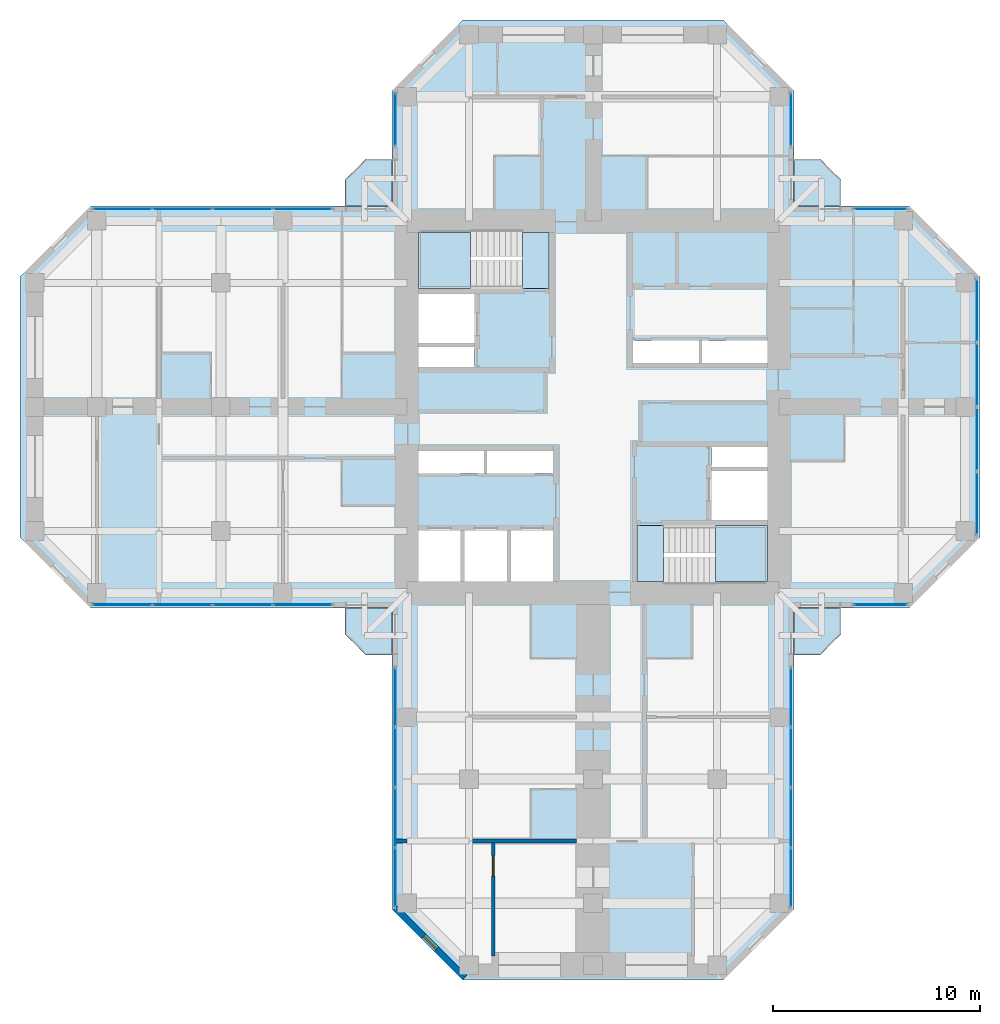
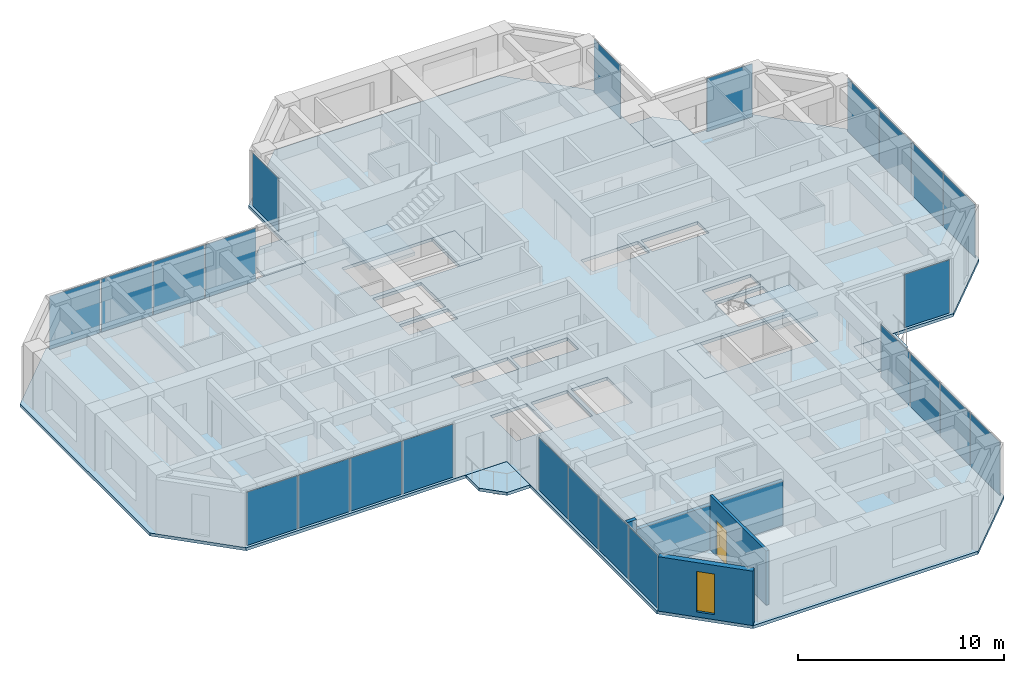
# One storey, part 7 of 14: 24 plates, 9 slabs, 4 walls, 1 door, 1 window, 2 openings, 11 elements without a shape of their own.
"""IFC4 building model written with IfcOpenShell, lengths in metres."""

from ifc_helpers import new_model, si_unit, direction, frame, frame_2d, origin, origin_2d, place, context, subcontext, project, spatial, polyline, rectangle, hollow_rectangle, outline, extrude, material, layer, layer_set, constituent, constituent_set, type_object, element, fill, aggregate, save


model = new_model("IFC4")

# Units and contexts
model_context = context("Model", 3, precision=1e-05, world=origin(), true_north=direction((0.0, 1.0)))
body_context = subcontext(model_context, "Body", "Model", "MODEL_VIEW")
ifc_project = project(units=[si_unit("LENGTHUNIT", "METRE"), si_unit("AREAUNIT", "SQUARE_METRE"), si_unit("VOLUMEUNIT", "CUBIC_METRE"), si_unit("PLANEANGLEUNIT", "RADIAN"), si_unit("MASSUNIT", "GRAM", prefix="KILO")], contexts=[model_context])

# Site, building, storey
site_placement = place(None, origin())
site = spatial("IfcSite", under=ifc_project, at=site_placement, CompositionType="ELEMENT")
building_placement = place(site_placement, origin())
building = spatial("IfcBuilding", under=site, at=building_placement, Name="Torre Cruceta", CompositionType="ELEMENT")
storey_placement = place(building_placement, frame((0.0, 0.0, 200.10009765625)))
storey = spatial("IfcBuildingStorey", under=building, at=storey_placement, Name="L50", CompositionType="ELEMENT", Elevation=200.10009765625)

# Slabs
ifc_material_1 = material(Name="Concrete G35 (fck 35 MPa)", Category="concrete")
ifc_layer_1 = layer(ifc_material_1, 0.179931640625)
ifc_layer_set_1 = layer_set([ifc_layer_1], Name="Concrete G35 (fck 35 MPa)")
slab_type_1 = type_object("IfcSlabType", Name="BALCONY SLAB 180", PredefinedType="USERDEFINED", material=ifc_layer_set_1)
slab_1_placement = place(storey_placement, frame((0.0, 0.0, -0.18017578125)))
element("IfcSlab", 1, at=slab_1_placement, inside=storey, type_object=slab_type_1, Name="Balcony slab L50 N", ObjectType="BALCONY", PredefinedType="USERDEFINED", context=body_context, shape_type="SweptSolid", body=[
    extrude(outline(polyline([(-12.0, 11.0), (-11.0, 12.0), (-9.719970703125, 12.0), (-9.719970703125, 9.719970703125), (-12.0, 9.719970703125), (-12.0, 11.0)])), origin(), (0.0, 0.0, 1.0), 0.18017578125),
])
slab_2_placement = place(storey_placement, frame((0.0, 0.0, -0.18017578125)))
element("IfcSlab", 2, at=slab_2_placement, inside=storey, type_object=slab_type_1, Name="Balcony slab L50 E", ObjectType="BALCONY", PredefinedType="USERDEFINED", context=body_context, shape_type="SweptSolid", body=[
    extrude(outline(polyline([(11.0, 12.0), (12.0, 11.0), (12.0, 9.719970703125), (9.719970703125, 9.719970703125), (9.719970703125, 12.0), (11.0, 12.0)])), origin(), (0.0, 0.0, 1.0), 0.18017578125),
])
slab_3_placement = place(storey_placement, frame((0.0, 0.0, -0.18017578125)))
element("IfcSlab", 3, at=slab_3_placement, inside=storey, type_object=slab_type_1, Name="Balcony slab L50 S", ObjectType="BALCONY", PredefinedType="USERDEFINED", context=body_context, shape_type="SweptSolid", body=[
    extrude(outline(polyline([(12.0, -11.0), (11.0, -12.0), (9.719970703125, -12.0), (9.719970703125, -9.719970703125), (12.0, -9.719970703125), (12.0, -11.0)])), origin(), (0.0, 0.0, 1.0), 0.18017578125),
])
slab_4_placement = place(storey_placement, frame((0.0, 0.0, -0.18017578125)))
element("IfcSlab", 4, at=slab_4_placement, inside=storey, type_object=slab_type_1, Name="Balcony slab L50 W", ObjectType="BALCONY", PredefinedType="USERDEFINED", context=body_context, shape_type="SweptSolid", body=[
    extrude(outline(polyline([(-11.0, -12.0), (-12.0, -11.0), (-12.0, -9.719970703125), (-9.719970703125, -9.719970703125), (-9.719970703125, -12.0), (-11.0, -12.0)])), origin(), (0.0, 0.0, 1.0), 0.18017578125),
])

# Curtain wall, plate
ifc_material_2 = material(Name="Aluminium unitised curtain wall", Category="aluminium")
curtain_wall_type = type_object("IfcCurtainWallType", Name="CURTAIN WALL CW-C CO-LIVING", PredefinedType="USERDEFINED", material=ifc_material_2)
curtain_wall_1_placement = place(storey_placement, origin())
curtain_wall_1 = element("IfcCurtainWall", 5, at=curtain_wall_1_placement, inside=storey, type_object=curtain_wall_type, Name="CW-C L50 E tip 02", ObjectType="UNITISED", PredefinedType="USERDEFINED")
ifc_material_3 = material(Name="Laminated insulating glass unit, diagonal frit 50 %", Category="glass")
ifc_material_4 = material(Name="Laminated insulating glass unit, diagonal frit 50 %", Category="glass")
ifc_layer_2 = layer(ifc_material_4, 0.030029296875)
ifc_layer_set_2 = layer_set([ifc_layer_2], Name="Laminated insulating glass unit, diagonal frit 50 %")
plate_type_1 = type_object("IfcPlateType", Name="CW-C OPERABLE VENT PANEL 30", PredefinedType="CURTAIN_PANEL", material=ifc_layer_set_2)
plate_1_placement = place(storey_placement, frame((18.570068359375, -1.55908203125, 0.010009765625), z_axis=(0.0, 0.0, 1.0), x_axis=(0.0, 1.0, 0.0)))
plate_1 = element("IfcPlate", 6, at=plate_1_placement, type_object=plate_type_1, material=ifc_material_3, Name="CW-C vent 2", PredefinedType="CURTAIN_PANEL", context=body_context, shape_type="SweptSolid", body=[
    extrude(rectangle(XDim=3.05810546875, YDim=0.030029296875, at=origin_2d()), origin(), (0.0, 0.0, 1.0), 3.14990234375),
])

curtain_wall_2_placement = place(storey_placement, origin())
curtain_wall_2 = element("IfcCurtainWall", 7, at=curtain_wall_2_placement, inside=storey, type_object=curtain_wall_type, Name="CW-C L50 W side 10", ObjectType="UNITISED", PredefinedType="USERDEFINED")
plate_2_placement = place(storey_placement, frame((-16.94482421875, 9.570068359375, 0.010009765625), z_axis=(0.0, 0.0, 1.0), x_axis=(-1.0, 0.0, 0.0)))
plate_2 = element("IfcPlate", 8, at=plate_2_placement, type_object=plate_type_1, material=ifc_material_3, Name="CW-C vent 2", PredefinedType="CURTAIN_PANEL", context=body_context, shape_type="SweptSolid", body=[
    extrude(rectangle(XDim=2.8564453125, YDim=0.030029296875, at=origin_2d()), origin(), (0.0, 0.0, 1.0), 3.14990234375),
])

curtain_wall_3_placement = place(storey_placement, origin())
curtain_wall_3 = element("IfcCurtainWall", 9, at=curtain_wall_3_placement, inside=storey, type_object=curtain_wall_type, Name="CW-C L50 W side 14", ObjectType="UNITISED", PredefinedType="USERDEFINED")
plate_3_placement = place(storey_placement, frame((-19.861328125, -9.570068359375, 0.010009765625), z_axis=(0.0, 0.0, 1.0), x_axis=(1.0, 0.0, 0.0)))
plate_3 = element("IfcPlate", 10, at=plate_3_placement, type_object=plate_type_1, material=ifc_material_3, Name="CW-C vent 2", PredefinedType="CURTAIN_PANEL", context=body_context, shape_type="SweptSolid", body=[
    extrude(rectangle(XDim=2.8564453125, YDim=0.030029296875, at=origin_2d()), origin(), (0.0, 0.0, 1.0), 3.14990234375),
])

curtain_wall_4_placement = place(storey_placement, origin())
curtain_wall_4 = element("IfcCurtainWall", 11, at=curtain_wall_4_placement, inside=storey, type_object=curtain_wall_type, Name="CW-C L50 S side 15", ObjectType="UNITISED", PredefinedType="USERDEFINED")
plate_4_placement = place(storey_placement, frame((-9.570068359375, -16.94482421875, 0.010009765625), z_axis=(0.0, 0.0, 1.0), x_axis=(0.0, -1.0, 0.0)))
plate_4 = element("IfcPlate", 12, at=plate_4_placement, type_object=plate_type_1, material=ifc_material_3, Name="CW-C vent 2", PredefinedType="CURTAIN_PANEL", context=body_context, shape_type="SweptSolid", body=[
    extrude(rectangle(XDim=2.8564453125, YDim=0.030029296875, at=origin_2d()), origin(), (0.0, 0.0, 1.0), 3.14990234375),
])

curtain_wall_5_placement = place(storey_placement, origin())
curtain_wall_5 = element("IfcCurtainWall", 13, at=curtain_wall_5_placement, inside=storey, type_object=curtain_wall_type, Name="CW-C L50 S side 19", ObjectType="UNITISED", PredefinedType="USERDEFINED")
plate_5_placement = place(storey_placement, frame((9.570068359375, -19.861328125, 0.010009765625), z_axis=(0.0, 0.0, 1.0), x_axis=(0.0, 1.0, 0.0)))
plate_5 = element("IfcPlate", 14, at=plate_5_placement, type_object=plate_type_1, material=ifc_material_3, Name="CW-C vent 2", PredefinedType="CURTAIN_PANEL", context=body_context, shape_type="SweptSolid", body=[
    extrude(rectangle(XDim=2.8564453125, YDim=0.030029296875, at=origin_2d()), origin(), (0.0, 0.0, 1.0), 3.14990234375),
])

curtain_wall_6_placement = place(storey_placement, origin())
curtain_wall_6 = element("IfcCurtainWall", 15, at=curtain_wall_6_placement, inside=storey, type_object=curtain_wall_type, Name="CW-C L50 E side 00", ObjectType="UNITISED", PredefinedType="USERDEFINED")
ifc_material_5 = material(Name="Laminated insulating glass unit, diagonal frit 50 %", Category="glass")
ifc_layer_3 = layer(ifc_material_5, 0.030029296875)
ifc_layer_set_3 = layer_set([ifc_layer_3], Name="Laminated insulating glass unit, diagonal frit 50 %")
plate_type_2 = type_object("IfcPlateType", Name="CW-C PANEL 30", PredefinedType="CURTAIN_PANEL", material=ifc_layer_set_3)
plate_6_placement = place(storey_placement, frame((13.903076171875, -9.570068359375, 0.010009765625), z_axis=(0.0, 0.0, 1.0), x_axis=(1.0, 0.0, 0.0)))
plate_6 = element("IfcPlate", 16, at=plate_6_placement, type_object=plate_type_2, material=ifc_material_3, Name="CW-C panel 1", PredefinedType="CURTAIN_PANEL", context=body_context, shape_type="SweptSolid", body=[
    extrude(rectangle(XDim=2.546142578125, YDim=0.030029296875, at=origin_2d()), origin(), (0.0, 0.0, 1.0), 3.14990234375),
])
aggregate(curtain_wall_6, [plate_6])

# Plate
plate_7_placement = place(storey_placement, frame((18.570068359375, -4.662109375, 0.010009765625), z_axis=(0.0, 0.0, 1.0), x_axis=(0.0, 1.0, 0.0)))
plate_7 = element("IfcPlate", 17, at=plate_7_placement, type_object=plate_type_2, material=ifc_material_3, Name="CW-C panel 1", PredefinedType="CURTAIN_PANEL", context=body_context, shape_type="SweptSolid", body=[
    extrude(rectangle(XDim=3.028076171875, YDim=0.030029296875, at=origin_2d()), origin(), (0.0, 0.0, 1.0), 3.14990234375),
])

plate_8_placement = place(storey_placement, frame((18.570068359375, 1.55908203125, 0.010009765625), z_axis=(0.0, 0.0, 1.0), x_axis=(0.0, 1.0, 0.0)))
plate_8 = element("IfcPlate", 18, at=plate_8_placement, type_object=plate_type_2, material=ifc_material_3, Name="CW-C panel 3", PredefinedType="CURTAIN_PANEL", context=body_context, shape_type="SweptSolid", body=[
    extrude(rectangle(XDim=3.05810546875, YDim=0.030029296875, at=origin_2d()), origin(), (0.0, 0.0, 1.0), 3.14990234375),
])

plate_9_placement = place(storey_placement, frame((18.570068359375, 4.662109375, 0.010009765625), z_axis=(0.0, 0.0, 1.0), x_axis=(0.0, 1.0, 0.0)))
plate_9 = element("IfcPlate", 19, at=plate_9_placement, type_object=plate_type_2, material=ifc_material_3, Name="CW-C panel 4", PredefinedType="CURTAIN_PANEL", context=body_context, shape_type="SweptSolid", body=[
    extrude(rectangle(XDim=3.028076171875, YDim=0.030029296875, at=origin_2d()), origin(), (0.0, 0.0, 1.0), 3.14990234375),
])

aggregate(curtain_wall_1, [plate_7, plate_1, plate_8, plate_9])

# Curtain wall, plate
curtain_wall_7_placement = place(storey_placement, origin())
curtain_wall_7 = element("IfcCurtainWall", 20, at=curtain_wall_7_placement, inside=storey, type_object=curtain_wall_type, Name="CW-C L50 E side 04", ObjectType="UNITISED", PredefinedType="USERDEFINED")
plate_10_placement = place(storey_placement, frame((13.903076171875, 9.570068359375, 0.010009765625), z_axis=(0.0, 0.0, 1.0), x_axis=(-1.0, 0.0, 0.0)))
plate_10 = element("IfcPlate", 21, at=plate_10_placement, type_object=plate_type_2, material=ifc_material_3, Name="CW-C panel 1", PredefinedType="CURTAIN_PANEL", context=body_context, shape_type="SweptSolid", body=[
    extrude(rectangle(XDim=2.546142578125, YDim=0.030029296875, at=origin_2d()), origin(), (0.0, 0.0, 1.0), 3.14990234375),
])
aggregate(curtain_wall_7, [plate_10])

curtain_wall_8_placement = place(storey_placement, origin())
curtain_wall_8 = element("IfcCurtainWall", 22, at=curtain_wall_8_placement, inside=storey, type_object=curtain_wall_type, Name="CW-C L50 N side 05", ObjectType="UNITISED", PredefinedType="USERDEFINED")
plate_11_placement = place(storey_placement, frame((9.570068359375, 13.903076171875, 0.010009765625), z_axis=(0.0, 0.0, 1.0), x_axis=(0.0, 1.0, 0.0)))
plate_11 = element("IfcPlate", 23, at=plate_11_placement, type_object=plate_type_2, material=ifc_material_3, Name="CW-C panel 1", PredefinedType="CURTAIN_PANEL", context=body_context, shape_type="SweptSolid", body=[
    extrude(rectangle(XDim=2.546142578125, YDim=0.030029296875, at=origin_2d()), origin(), (0.0, 0.0, 1.0), 3.14990234375),
])
aggregate(curtain_wall_8, [plate_11])

curtain_wall_9_placement = place(storey_placement, origin())
curtain_wall_9 = element("IfcCurtainWall", 24, at=curtain_wall_9_placement, inside=storey, type_object=curtain_wall_type, Name="CW-C L50 N side 09", ObjectType="UNITISED", PredefinedType="USERDEFINED")
plate_12_placement = place(storey_placement, frame((-9.570068359375, 13.903076171875, 0.010009765625), z_axis=(0.0, 0.0, 1.0), x_axis=(0.0, -1.0, 0.0)))
plate_12 = element("IfcPlate", 25, at=plate_12_placement, type_object=plate_type_2, material=ifc_material_3, Name="CW-C panel 1", PredefinedType="CURTAIN_PANEL", context=body_context, shape_type="SweptSolid", body=[
    extrude(rectangle(XDim=2.546142578125, YDim=0.030029296875, at=origin_2d()), origin(), (0.0, 0.0, 1.0), 3.14990234375),
])
aggregate(curtain_wall_9, [plate_12])

# Plate
plate_13_placement = place(storey_placement, frame((-14.043212890625, 9.570068359375, 0.010009765625), z_axis=(0.0, 0.0, 1.0), x_axis=(-1.0, 0.0, 0.0)))
plate_13 = element("IfcPlate", 26, at=plate_13_placement, type_object=plate_type_2, material=ifc_material_3, Name="CW-C panel 1", PredefinedType="CURTAIN_PANEL", context=body_context, shape_type="SweptSolid", body=[
    extrude(rectangle(XDim=2.826416015625, YDim=0.030029296875, at=origin_2d()), origin(), (0.0, 0.0, 1.0), 3.14990234375),
])

plate_14_placement = place(storey_placement, frame((-19.861328125, 9.570068359375, 0.010009765625), z_axis=(0.0, 0.0, 1.0), x_axis=(-1.0, 0.0, 0.0)))
plate_14 = element("IfcPlate", 27, at=plate_14_placement, type_object=plate_type_2, material=ifc_material_3, Name="CW-C panel 3", PredefinedType="CURTAIN_PANEL", context=body_context, shape_type="SweptSolid", body=[
    extrude(rectangle(XDim=2.8564453125, YDim=0.030029296875, at=origin_2d()), origin(), (0.0, 0.0, 1.0), 3.14990234375),
])

plate_15_placement = place(storey_placement, frame((-22.762939453125, 9.570068359375, 0.010009765625), z_axis=(0.0, 0.0, 1.0), x_axis=(-1.0, 0.0, 0.0)))
plate_15 = element("IfcPlate", 28, at=plate_15_placement, type_object=plate_type_2, material=ifc_material_3, Name="CW-C panel 4", PredefinedType="CURTAIN_PANEL", context=body_context, shape_type="SweptSolid", body=[
    extrude(rectangle(XDim=2.826416015625, YDim=0.030029296875, at=origin_2d()), origin(), (0.0, 0.0, 1.0), 3.14990234375),
])

aggregate(curtain_wall_2, [plate_13, plate_2, plate_14, plate_15])

plate_16_placement = place(storey_placement, frame((-22.762939453125, -9.570068359375, 0.010009765625), z_axis=(0.0, 0.0, 1.0), x_axis=(1.0, 0.0, 0.0)))
plate_16 = element("IfcPlate", 29, at=plate_16_placement, type_object=plate_type_2, material=ifc_material_3, Name="CW-C panel 1", PredefinedType="CURTAIN_PANEL", context=body_context, shape_type="SweptSolid", body=[
    extrude(rectangle(XDim=2.826416015625, YDim=0.030029296875, at=origin_2d()), origin(), (0.0, 0.0, 1.0), 3.14990234375),
])

plate_17_placement = place(storey_placement, frame((-16.94482421875, -9.570068359375, 0.010009765625), z_axis=(0.0, 0.0, 1.0), x_axis=(1.0, 0.0, 0.0)))
plate_17 = element("IfcPlate", 30, at=plate_17_placement, type_object=plate_type_2, material=ifc_material_3, Name="CW-C panel 3", PredefinedType="CURTAIN_PANEL", context=body_context, shape_type="SweptSolid", body=[
    extrude(rectangle(XDim=2.8564453125, YDim=0.030029296875, at=origin_2d()), origin(), (0.0, 0.0, 1.0), 3.14990234375),
])

plate_18_placement = place(storey_placement, frame((-14.043212890625, -9.570068359375, 0.010009765625), z_axis=(0.0, 0.0, 1.0), x_axis=(1.0, 0.0, 0.0)))
plate_18 = element("IfcPlate", 31, at=plate_18_placement, type_object=plate_type_2, material=ifc_material_3, Name="CW-C panel 4", PredefinedType="CURTAIN_PANEL", context=body_context, shape_type="SweptSolid", body=[
    extrude(rectangle(XDim=2.826416015625, YDim=0.030029296875, at=origin_2d()), origin(), (0.0, 0.0, 1.0), 3.14990234375),
])

aggregate(curtain_wall_3, [plate_16, plate_3, plate_17, plate_18])

plate_19_placement = place(storey_placement, frame((-9.570068359375, -14.043212890625, 0.010009765625), z_axis=(0.0, 0.0, 1.0), x_axis=(0.0, -1.0, 0.0)))
plate_19 = element("IfcPlate", 32, at=plate_19_placement, type_object=plate_type_2, material=ifc_material_3, Name="CW-C panel 1", PredefinedType="CURTAIN_PANEL", context=body_context, shape_type="SweptSolid", body=[
    extrude(rectangle(XDim=2.826416015625, YDim=0.030029296875, at=origin_2d()), origin(), (0.0, 0.0, 1.0), 3.14990234375),
])

plate_20_placement = place(storey_placement, frame((-9.570068359375, -19.861328125, 0.010009765625), z_axis=(0.0, 0.0, 1.0), x_axis=(0.0, -1.0, 0.0)))
plate_20 = element("IfcPlate", 33, at=plate_20_placement, type_object=plate_type_2, material=ifc_material_3, Name="CW-C panel 3", PredefinedType="CURTAIN_PANEL", context=body_context, shape_type="SweptSolid", body=[
    extrude(rectangle(XDim=2.8564453125, YDim=0.030029296875, at=origin_2d()), origin(), (0.0, 0.0, 1.0), 3.14990234375),
])

plate_21_placement = place(storey_placement, frame((-9.570068359375, -22.762939453125, 0.010009765625), z_axis=(0.0, 0.0, 1.0), x_axis=(0.0, -1.0, 0.0)))
plate_21 = element("IfcPlate", 34, at=plate_21_placement, type_object=plate_type_2, material=ifc_material_3, Name="CW-C panel 4", PredefinedType="CURTAIN_PANEL", context=body_context, shape_type="SweptSolid", body=[
    extrude(rectangle(XDim=2.826416015625, YDim=0.030029296875, at=origin_2d()), origin(), (0.0, 0.0, 1.0), 3.14990234375),
])

aggregate(curtain_wall_4, [plate_19, plate_4, plate_20, plate_21])

plate_22_placement = place(storey_placement, frame((9.570068359375, -22.762939453125, 0.010009765625), z_axis=(0.0, 0.0, 1.0), x_axis=(0.0, 1.0, 0.0)))
plate_22 = element("IfcPlate", 35, at=plate_22_placement, type_object=plate_type_2, material=ifc_material_3, Name="CW-C panel 1", PredefinedType="CURTAIN_PANEL", context=body_context, shape_type="SweptSolid", body=[
    extrude(rectangle(XDim=2.826416015625, YDim=0.030029296875, at=origin_2d()), origin(), (0.0, 0.0, 1.0), 3.14990234375),
])

plate_23_placement = place(storey_placement, frame((9.570068359375, -16.94482421875, 0.010009765625), z_axis=(0.0, 0.0, 1.0), x_axis=(0.0, 1.0, 0.0)))
plate_23 = element("IfcPlate", 36, at=plate_23_placement, type_object=plate_type_2, material=ifc_material_3, Name="CW-C panel 3", PredefinedType="CURTAIN_PANEL", context=body_context, shape_type="SweptSolid", body=[
    extrude(rectangle(XDim=2.8564453125, YDim=0.030029296875, at=origin_2d()), origin(), (0.0, 0.0, 1.0), 3.14990234375),
])

plate_24_placement = place(storey_placement, frame((9.570068359375, -14.043212890625, 0.010009765625), z_axis=(0.0, 0.0, 1.0), x_axis=(0.0, 1.0, 0.0)))
plate_24 = element("IfcPlate", 37, at=plate_24_placement, type_object=plate_type_2, material=ifc_material_3, Name="CW-C panel 4", PredefinedType="CURTAIN_PANEL", context=body_context, shape_type="SweptSolid", body=[
    extrude(rectangle(XDim=2.826416015625, YDim=0.030029296875, at=origin_2d()), origin(), (0.0, 0.0, 1.0), 3.14990234375),
])

aggregate(curtain_wall_5, [plate_22, plate_5, plate_23, plate_24])

# Slab
ifc_material_6 = material(Name="Concrete G35 (fck 35 MPa)", Category="concrete")
ifc_layer_4 = layer(ifc_material_6, 0.179931640625)
ifc_layer_set_4 = layer_set([ifc_layer_4], Name="Concrete G35 (fck 35 MPa)")
slab_type_2 = type_object("IfcSlabType", Name="FLOOR SLAB 180", PredefinedType="FLOOR", material=ifc_layer_set_4)
slab_5_placement = place(storey_placement, frame((0.0, 0.0, -0.18017578125)))
element("IfcSlab", 38, at=slab_5_placement, inside=storey, type_object=slab_type_2, Name="Floor Slab L50", PredefinedType="FLOOR", context=body_context, shape_type="SweptSolid", body=[
    extrude(outline(polyline([(9.719970703125, -9.719970703125), (9.719970703125, -24.29833984375), (6.29833984375, -27.719970703125), (-6.29833984375, -27.719970703125), (-9.719970703125, -24.29833984375), (-9.719970703125, -9.719970703125), (-24.29833984375, -9.719970703125), (-27.719970703125, -6.29833984375), (-27.719970703125, 6.29833984375), (-24.29833984375, 9.719970703125), (-9.719970703125, 9.719970703125), (-9.719970703125, 15.29833984375), (-6.29833984375, 18.719970703125), (6.29833984375, 18.719970703125), (9.719970703125, 15.29833984375), (9.719970703125, 9.719970703125), (15.29833984375, 9.719970703125), (18.719970703125, 6.29833984375), (18.719970703125, -6.29833984375), (15.29833984375, -9.719970703125), (9.719970703125, -9.719970703125)]), holes=[polyline([(1.925048828125, 2.125), (5.125, 2.125), (5.125, 3.22509765625), (1.925048828125, 3.22509765625), (1.925048828125, 2.125)]), polyline([(5.27490234375, 2.125), (8.449951171875, 2.125), (8.449951171875, 3.22509765625), (5.27490234375, 3.22509765625), (5.27490234375, 2.125)]), polyline([(-8.449951171875, 3.10009765625), (-5.72509765625, 3.10009765625), (-5.72509765625, 5.47509765625), (-8.449951171875, 5.47509765625), (-8.449951171875, 3.10009765625)]), polyline([(-8.449951171875, 1.925048828125), (-5.72509765625, 1.925048828125), (-5.72509765625, 2.89990234375), (-8.449951171875, 2.89990234375), (-8.449951171875, 1.925048828125)]), polyline([(-3.966552734375, -8.449951171875), (-1.925048828125, -8.449951171875), (-1.925048828125, -5.97509765625), (-3.966552734375, -5.97509765625), (-3.966552734375, -8.449951171875)]), polyline([(-6.208251953125, -8.449951171875), (-4.166748046875, -8.449951171875), (-4.166748046875, -5.97509765625), (-6.208251953125, -5.97509765625), (-6.208251953125, -8.449951171875)]), polyline([(-8.449951171875, -8.449951171875), (-6.408447265625, -8.449951171875), (-6.408447265625, -5.97509765625), (-8.449951171875, -5.97509765625), (-8.449951171875, -8.449951171875)]), polyline([(-5.125, -3.22509765625), (-1.925048828125, -3.22509765625), (-1.925048828125, -2.125), (-5.125, -2.125), (-5.125, -3.22509765625)]), polyline([(-8.449951171875, -3.22509765625), (-5.27490234375, -3.22509765625), (-5.27490234375, -2.125), (-8.449951171875, -2.125), (-8.449951171875, -3.22509765625)]), polyline([(5.72509765625, -5.47509765625), (8.449951171875, -5.47509765625), (8.449951171875, -3.10009765625), (5.72509765625, -3.10009765625), (5.72509765625, -5.47509765625)]), polyline([(5.72509765625, -2.89990234375), (8.449951171875, -2.89990234375), (8.449951171875, -1.925048828125), (5.72509765625, -1.925048828125), (5.72509765625, -2.89990234375)]), polyline([(-8.449951171875, 5.72509765625), (-8.449951171875, 8.449951171875), (-3.39990234375, 8.449951171875), (-2.125, 8.449951171875), (-2.125, 5.72509765625), (-3.39990234375, 5.72509765625), (-8.449951171875, 5.72509765625)]), polyline([(2.125, -5.72509765625), (3.39990234375, -5.72509765625), (8.449951171875, -5.72509765625), (8.449951171875, -8.449951171875), (3.39990234375, -8.449951171875), (2.125, -8.449951171875), (2.125, -5.72509765625)])]), origin(), (0.0, 0.0, 1.0), 0.18017578125),
])

# Stair, slab
ifc_material_7 = material(Name="Concrete G30 (fck 30 MPa)", Category="concrete")
stair_type = type_object("IfcStairType", Name="STAIR HALF-TURN 1300", PredefinedType="HALF_TURN_STAIR", material=ifc_material_7)
stair_1_placement = place(storey_placement, origin())
stair_1 = element("IfcStair", 39, at=stair_1_placement, inside=storey, type_object=stair_type, Name="Stair ST1 L50", PredefinedType="HALF_TURN_STAIR")
ifc_material_8 = material(Name="Concrete G30 (fck 30 MPa)", Category="concrete")
ifc_layer_5 = layer(ifc_material_8, 0.199951171875)
ifc_layer_set_5 = layer_set([ifc_layer_5], Name="Concrete G30 (fck 30 MPa)")
slab_type_3 = type_object("IfcSlabType", Name="STAIR LANDING 200", PredefinedType="LANDING", material=ifc_layer_set_5)
slab_6_placement = place(storey_placement, frame((0.0, 0.0, 1.5)))
slab_6 = element("IfcSlab", 40, at=slab_6_placement, type_object=slab_type_3, Name="ST1 landing 1", PredefinedType="LANDING", context=body_context, shape_type="SweptSolid", body=[
    extrude(outline(polyline([(-8.449951171875, 5.72509765625), (-5.919921875, 5.72509765625), (-5.919921875, 8.449951171875), (-8.449951171875, 8.449951171875), (-8.449951171875, 5.72509765625)])), origin(), (0.0, 0.0, 1.0), 0.199951171875),
])
aggregate(stair_1, [slab_6])

stair_2_placement = place(storey_placement, origin())
stair_2 = element("IfcStair", 41, at=stair_2_placement, inside=storey, type_object=stair_type, Name="Stair ST2 L50", PredefinedType="HALF_TURN_STAIR")
slab_7_placement = place(storey_placement, frame((0.0, 0.0, 1.5)))
slab_7 = element("IfcSlab", 42, at=slab_7_placement, type_object=slab_type_3, Name="ST2 landing 1", PredefinedType="LANDING", context=body_context, shape_type="SweptSolid", body=[
    extrude(outline(polyline([(5.919921875, -8.449951171875), (8.449951171875, -8.449951171875), (8.449951171875, -5.72509765625), (5.919921875, -5.72509765625), (5.919921875, -8.449951171875)])), origin(), (0.0, 0.0, 1.0), 0.199951171875),
])
aggregate(stair_2, [slab_7])

# Slabs
slab_8_placement = place(storey_placement, frame((0.0, 0.0, -0.2001953125)))
element("IfcSlab", 43, at=slab_8_placement, inside=storey, type_object=slab_type_3, Name="Stair ST1 floor landing L50", PredefinedType="LANDING", context=body_context, shape_type="SweptSolid", body=[
    extrude(outline(polyline([(-2.125, 8.449951171875), (-2.125, 5.72509765625), (-3.39990234375, 5.72509765625), (-3.39990234375, 8.449951171875), (-2.125, 8.449951171875)])), origin(), (0.0, 0.0, 1.0), 0.2001953125),
])
slab_9_placement = place(storey_placement, frame((0.0, 0.0, -0.2001953125)))
element("IfcSlab", 44, at=slab_9_placement, inside=storey, type_object=slab_type_3, Name="Stair ST2 floor landing L50", PredefinedType="LANDING", context=body_context, shape_type="SweptSolid", body=[
    extrude(outline(polyline([(2.125, -8.449951171875), (2.125, -5.72509765625), (3.39990234375, -5.72509765625), (3.39990234375, -8.449951171875), (2.125, -8.449951171875)])), origin(), (0.0, 0.0, 1.0), 0.2001953125),
])

# Wall, opening, window
ifc_material_9 = material(Name="Concrete G30 (fck 30 MPa)", Category="concrete")
ifc_layer_6 = layer(ifc_material_9, 0.300048828125)
ifc_layer_set_6 = layer_set([ifc_layer_6], Name="Concrete G30 (fck 30 MPa)")
wall_type_1 = type_object("IfcWallType", Name="EXPOSED CONCRETE FACADE WALL 300", PredefinedType="SOLIDWALL", material=ifc_layer_set_6)
wall_1_placement = place(storey_placement, frame((-9.570068359375, -24.236083984375, 0.0), z_axis=(0.0, 0.0, 1.0), x_axis=(0.707106781187, -0.707106781187, 0.0)))
wall_1 = element("IfcWall", 45, at=wall_1_placement, inside=storey, type_object=wall_type_1, Name="EW1 facade wall L50 S chamfer 16", PredefinedType="SOLIDWALL", context=body_context, shape_type="SweptSolid", body=[
    extrude(rectangle(XDim=4.75732421875, YDim=0.300048828125, at=frame_2d((2.378662109375, 0.0))), origin(), (0.0, 0.0, 1.0), 3.219970703125),
])
opening_1_placement = place(wall_1_placement, frame((1.9287109375, 0.0, 0.300048828125)))
opening_1 = element("IfcOpeningElement", 46, at=opening_1_placement, cuts=wall_1, Name="Opening WN5", PredefinedType="OPENING", context=body_context, shape_type="SweptSolid", body=[
    extrude(rectangle(XDim=0.89990234375, YDim=2.39990234375, at=frame_2d((0.449951171875, 1.199951171875))), frame((0.0, 0.159912109375, 0.0), z_axis=(0.0, -1.0, 0.0), x_axis=(1.0, 0.0, 0.0)), (0.0, 0.0, 1.0), 0.320068359375),
])
ifc_material_10 = material(Name="Aluminium window frame", Category="aluminium")
ifc_constituent_1 = constituent(ifc_material_10, Name="Frame")
ifc_material_11 = material(Name="Laminated insulating glass unit, low-iron clear", Category="glass")
ifc_constituent_2 = constituent(ifc_material_11, Name="Glazing")
ifc_constituent_set_1 = constituent_set(constituents=[ifc_constituent_1, ifc_constituent_2], Name="Aluminium window")
window_type = type_object("IfcWindowType", Name="CHAMFER SLOT WINDOW 900X2400", PartitioningType="SINGLE_PANEL", PredefinedType="WINDOW", material=ifc_constituent_set_1)
window_placement = place(opening_1_placement, origin())
window = element("IfcWindow", 47, at=window_placement, inside=storey, type_object=window_type, Name="WN5 L50 S 1", OverallHeight=2.39990234375, OverallWidth=0.89990234375, PartitioningType="SINGLE_PANEL", PredefinedType="WINDOW", context=body_context, shape_type="SweptSolid", body=[
    extrude(hollow_rectangle(XDim=0.89990234375, YDim=2.39990234375, WallThickness=0.06005859375, at=frame_2d((0.449951171875, 1.199951171875))), frame((0.0, 0.030029296875, 0.0), z_axis=(0.0, -1.0, 0.0), x_axis=(1.0, 0.0, 0.0)), (0.0, 0.0, 1.0), 0.06005859375),
    extrude(rectangle(XDim=0.77880859375, YDim=2.27880859375, at=frame_2d((0.449951171875, 1.199951171875))), frame((0.0, 0.030029296875, 0.0), z_axis=(0.0, -1.0, 0.0), x_axis=(1.0, 0.0, 0.0)), (0.0, 0.0, 1.0), 0.06005859375),
])
fill(opening_1, window)

# Wall, opening, door
ifc_material_12 = material(Name="Plasterboard on steel studs", Category="steel")
ifc_layer_7 = layer(ifc_material_12, 0.14990234375)
ifc_layer_set_7 = layer_set([ifc_layer_7], Name="Plasterboard on steel studs")
wall_type_2 = type_object("IfcWallType", Name="PARTITION 150", PredefinedType="PARTITIONING", material=ifc_layer_set_7)
wall_2_placement = place(storey_placement, frame((-4.824951171875, -21.10009765625, 0.0), z_axis=(0.0, 0.0, 1.0), x_axis=(0.0, -1.0, 0.0)))
wall_2 = element("IfcWall", 48, at=wall_2_placement, inside=storey, type_object=wall_type_2, Name="PT1 L50-S-END2X", PredefinedType="PARTITIONING", context=body_context, shape_type="SweptSolid", body=[
    extrude(rectangle(XDim=5.449951171875, YDim=0.14990234375, at=frame_2d((2.72509765625, 0.0))), origin(), (0.0, 0.0, 1.0), 3.219970703125),
])
opening_2_placement = place(wall_2_placement, frame((0.60009765625, 0.0, 0.0)))
opening_2 = element("IfcOpeningElement", 49, at=opening_2_placement, cuts=wall_2, Name="Opening D3", PredefinedType="OPENING", context=body_context, shape_type="SweptSolid", body=[
    extrude(rectangle(XDim=1.0, YDim=2.10009765625, at=frame_2d((0.5, 1.050048828125))), frame((0.0, 0.0849609375, 0.0), z_axis=(0.0, -1.0, 0.0), x_axis=(1.0, 0.0, 0.0)), (0.0, 0.0, 1.0), 0.169921875),
])
ifc_material_13 = material(Name="Steel DX51D", Category="steel")
ifc_constituent_3 = constituent(ifc_material_13, Name="Leaf and frame")
ifc_material_14 = material(Name="Polyester powder coating", Category="paint")
ifc_constituent_4 = constituent(ifc_material_14, Name="Finish")
ifc_constituent_set_2 = constituent_set(constituents=[ifc_constituent_3, ifc_constituent_4], Name="Steel fire door")
door_type = type_object("IfcDoorType", Name="FIRE DOOR 1000X2100", OperationType="SINGLE_SWING_LEFT", PredefinedType="DOOR", material=ifc_constituent_set_2)
door_placement = place(opening_2_placement, frame((1.0, 0.0, 0.0), z_axis=(0.0, 0.0, 1.0), x_axis=(-1.0, 0.0, 0.0)))
door = element("IfcDoor", 50, at=door_placement, inside=storey, type_object=door_type, Name="D3 L50-S-END2X-D1", OperationType="SINGLE_SWING_RIGHT", OverallHeight=2.10009765625, OverallWidth=1.0, PredefinedType="DOOR", context=body_context, shape_type="SweptSolid", body=[
    extrude(rectangle(XDim=1.0, YDim=2.10009765625, at=frame_2d((0.5, 1.050048828125))), frame((0.0, 0.025146484375, 0.0), z_axis=(0.0, -1.0, 0.0), x_axis=(1.0, 0.0, 0.0)), (0.0, 0.0, 1.0), 0.050048828125),
])
fill(opening_2, door)

# Walls
ifc_material_15 = material(Name="Concrete G25 (fck 25 MPa)", Category="concrete")
ifc_layer_8 = layer(ifc_material_15, 0.199951171875)
ifc_layer_set_8 = layer_set([ifc_layer_8], Name="Concrete G25 (fck 25 MPa)")
wall_type_3 = type_object("IfcWallType", Name="UNIT SEPARATING WALL 200", PredefinedType="SOLIDWALL", material=ifc_layer_set_8)
wall_3_placement = place(storey_placement, frame((-9.530029296875, -21.0, 0.0), z_axis=(0.0, 0.0, 1.0), x_axis=(1.0, 0.0, 0.0)))
element("IfcWall", 51, at=wall_3_placement, inside=storey, type_object=wall_type_3, Name="PT2 L50-S-ENDa", PredefinedType="SOLIDWALL", context=body_context, shape_type="SweptSolid", body=[
    extrude(rectangle(XDim=0.530029296875, YDim=0.199951171875, at=frame_2d((0.26513671875, 0.0))), origin(), (0.0, 0.0, 1.0), 3.219970703125),
])
wall_4_placement = place(storey_placement, frame((-9.0, -21.0, 0.0), z_axis=(0.0, 0.0, 1.0), x_axis=(1.0, 0.0, 0.0)))
element("IfcWall", 52, at=wall_4_placement, inside=storey, type_object=wall_type_3, Name="PT2 L50-S-ENDa 2", PredefinedType="SOLIDWALL", context=body_context, shape_type="SweptSolid", body=[
    extrude(rectangle(XDim=8.199951171875, YDim=0.199951171875, at=frame_2d((4.10009765625, 0.0))), origin(), (0.0, 0.0, 1.0), 2.619873046875),
])

save(model, "model.ifc")
